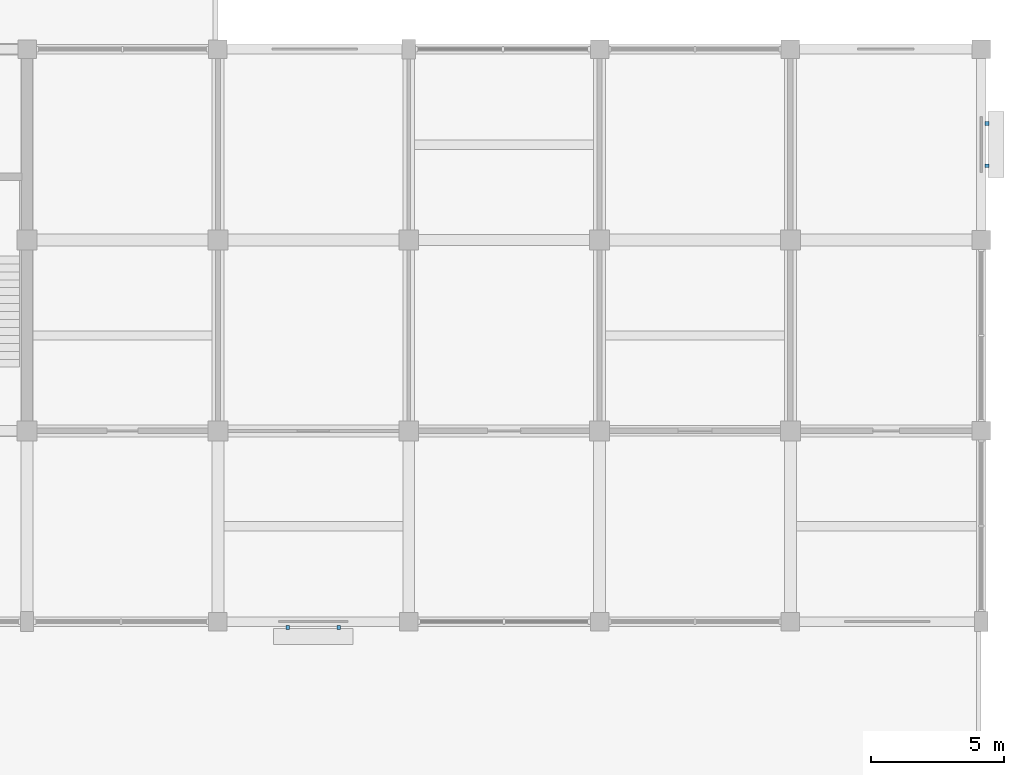
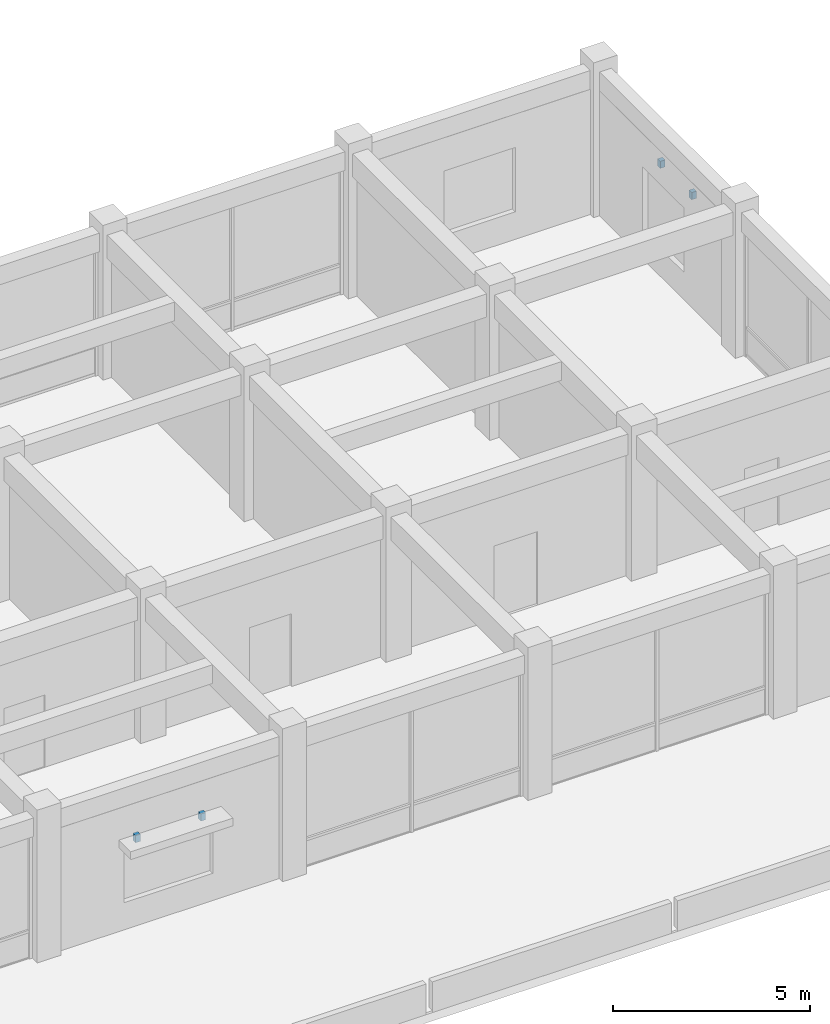
# One storey, part 29 of 30: 4 discrete accessories.
"""IFC4 building model written with IfcOpenShell, lengths in metres."""

from ifc_helpers import new_model, si_unit, direction, frame, origin, origin_2d, place, context, subcontext, project, spatial, rectangle, extrude, material, type_object, element, save


model = new_model("IFC4")

# Units and contexts
model_context = context("Model", 3, precision=1e-05, world=origin(), true_north=direction((0.0, 1.0)))
body_context = subcontext(model_context, "Body", "Model", "MODEL_VIEW")
ifc_project = project(units=[si_unit("LENGTHUNIT", "METRE"), si_unit("AREAUNIT", "SQUARE_METRE"), si_unit("VOLUMEUNIT", "CUBIC_METRE"), si_unit("PLANEANGLEUNIT", "RADIAN"), si_unit("MASSUNIT", "GRAM", prefix="KILO")], contexts=[model_context])

# Site, building, storey
site_placement = place(None, origin())
site = spatial("IfcSite", under=ifc_project, at=site_placement, CompositionType="ELEMENT")
building_placement = place(site_placement, origin())
building = spatial("IfcBuilding", under=site, at=building_placement, Name="Cendaluz Park School", CompositionType="ELEMENT")
storey_placement = place(building_placement, frame((0.0, 0.0, 9.60009765625)))
storey = spatial("IfcBuildingStorey", under=building, at=storey_placement, Name="L02", CompositionType="ELEMENT", Elevation=9.60009765625)

# Discrete accessories
ifc_material = material(Name="Steel S355", Category="steel")
discrete_accessory_type = type_object("IfcDiscreteAccessoryType", Name="BK-01", PredefinedType="BRACKET", material=ifc_material)
for number, where, z_axis, x_axis, name in (
    (1, (146.639892578125, 6.97998046875, 2.72998046875), (0.0, 0.0, 1.0), (1.0, 0.0, 0.0), "BK-L02-103"),
    (2, (148.56005859375, 6.97998046875, 2.72998046875), (0.0, 0.0, 1.0), (1.0, 0.0, 0.0), "BK-L02-104"),
    (3, (173.02001953125, 24.39990234375, 2.8798828125), (0.0, 0.0, 1.0), (0.0, 1.0, 0.0), "BK-L02-105"),
    (4, (173.02001953125, 26.0, 2.8798828125), (0.0, 0.0, 1.0), (0.0, 1.0, 0.0), "BK-L02-106"),
):
    element("IfcDiscreteAccessory", number, at=place(storey_placement, frame(where, z_axis=z_axis, x_axis=x_axis)), inside=storey, type_object=discrete_accessory_type, Name=name, PredefinedType="BRACKET", context=body_context, shape_type="SweptSolid", body=[
        extrude(rectangle(XDim=0.139892578125, YDim=0.139892578125, at=origin_2d()), origin(), (0.0, 0.0, 1.0), 0.219970703125),
    ])

save(model, "model.ifc")
